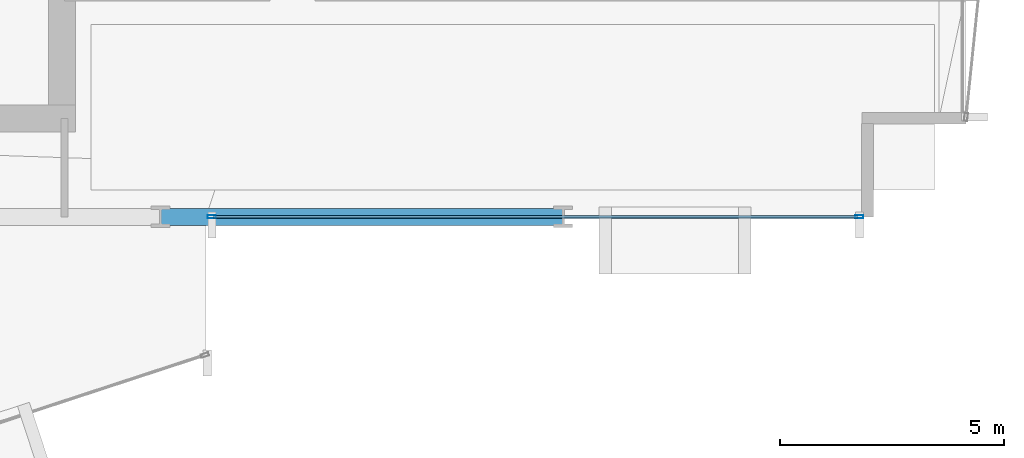
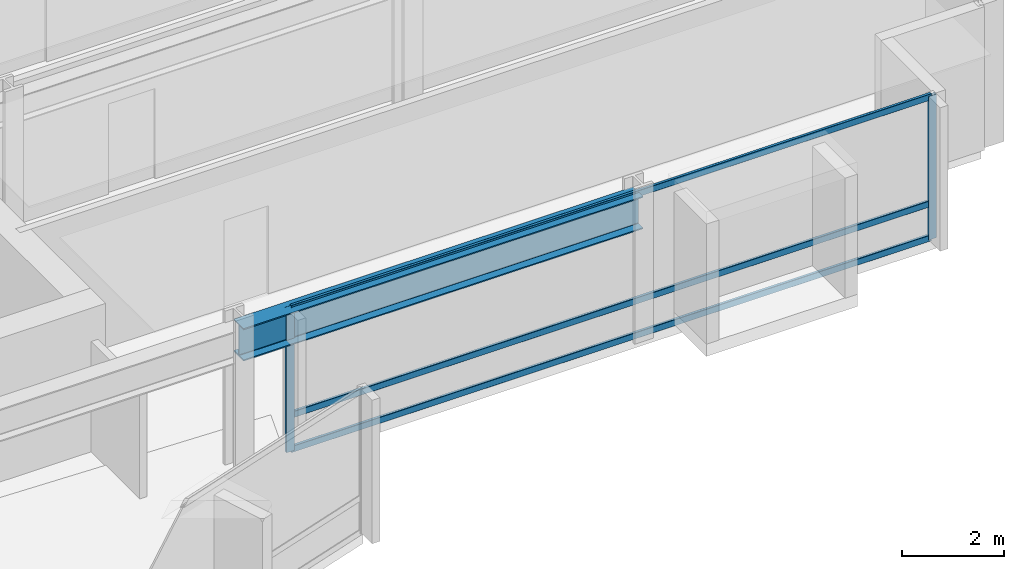
# One storey, part 12 of 34: 5 members, 1 beam, 1 element without a shape of its own.
"""IFC4 building model written with IfcOpenShell, lengths in metres."""

import ifcopenshell
import ifcopenshell.guid

model = None  # the IFC model being written
_history = None  # IfcOwnerHistory: only IFC2X3 demands one
_inside = {}  # id of a spatial element -> (the spatial element, [elements in it])
_under = {}  # id of a project, library or spatial element -> (it, [spatial elements below it])
_declared = {}  # id of a project -> (the project, [libraries it declares])
_typed = {}  # id of a type object -> (the type object, [elements of that type])
_made_of = {}  # id of a material, layer set ... -> (it, [elements and type objects made of it])


def new_model(schema):
    """Start an empty IFC model of exactly this schema.

    Asked for "IFC4X3", IfcOpenShell would pick the latest addendum, in which some entities
    have other attributes; the version numbers below select the first issue.
    IFC2X3 requires an IfcOwnerHistory on every rooted entity: one is made here for all.
    """
    global model, _history
    if schema == "IFC4X3":
        model = ifcopenshell.file(schema_version=(4, 3, 0, 0))
    else:
        model = ifcopenshell.file(schema=schema)
    _inside.clear()
    _under.clear()
    _declared.clear()
    _typed.clear()
    _made_of.clear()
    _history = None
    if model.schema == "IFC2X3":
        org = make("IfcOrganization", Name="unknown")
        user = make(
            "IfcPersonAndOrganization",
            ThePerson=make("IfcPerson", FamilyName="unknown"),
            TheOrganization=org,
        )
        app = make(
            "IfcApplication",
            ApplicationDeveloper=org,
            Version="unknown",
            ApplicationFullName="unknown",
            ApplicationIdentifier="unknown",
        )
        _history = make(
            "IfcOwnerHistory",
            OwningUser=user,
            OwningApplication=app,
            ChangeAction="ADDED",
            CreationDate=0,
        )
    return model


def make(cls, **values):
    """One entity of the class cls with the attributes given. An attribute that is None is left unset."""
    return model.create_entity(
        cls, **{name: value for name, value in values.items() if value is not None}
    )


def rooted(cls, **values):
    """An entity with a GlobalId (a new one), such as an element, a storey or a relation."""
    return make(cls, GlobalId=ifcopenshell.guid.new(), OwnerHistory=_history, **values)


def si_unit(unit_type, name, prefix=None):
    """IfcSIUnit, for example si_unit("LENGTHUNIT", "METRE", prefix="MILLI")."""
    return make("IfcSIUnit", UnitType=unit_type, Prefix=prefix, Name=name)


def assignment(units):
    """IfcUnitAssignment: the units of a project."""
    return None if units is None else make("IfcUnitAssignment", Units=units)


def point(xyz):
    """IfcCartesianPoint."""
    return None if xyz is None else make("IfcCartesianPoint", Coordinates=xyz)


def direction(xyz):
    """IfcDirection."""
    return None if xyz is None else make("IfcDirection", DirectionRatios=xyz)


def frame(location, z_axis=None, x_axis=None):
    """IfcAxis2Placement3D, a coordinate frame: its origin and axes. An axis left out is left unset."""
    return make(
        "IfcAxis2Placement3D",
        Location=point(location),
        Axis=direction(z_axis),
        RefDirection=direction(x_axis),
    )


def frame_2d(location, x_axis=None):
    """IfcAxis2Placement2D, a coordinate frame in the plane: its origin and x axis."""
    return make(
        "IfcAxis2Placement2D", Location=point(location), RefDirection=direction(x_axis)
    )


def origin():
    """The frame at (0, 0, 0) with its axes left unset."""
    return frame((0.0, 0.0, 0.0))


def origin_2d():
    """The frame at (0, 0) in the plane with its x axis left unset."""
    return frame_2d((0.0, 0.0))


def place(relative_to, where):
    """IfcLocalPlacement: puts the frame where relative to a parent placement (None: the world)."""
    return make(
        "IfcLocalPlacement", PlacementRelTo=relative_to, RelativePlacement=where
    )


def context(
    kind, dimensions, precision=None, world=None, true_north=None, identifier=None
):
    """IfcGeometricRepresentationContext, for example the 3D "Model" context."""
    return make(
        "IfcGeometricRepresentationContext",
        ContextIdentifier=identifier,
        ContextType=kind,
        CoordinateSpaceDimension=dimensions,
        Precision=precision,
        WorldCoordinateSystem=world,
        TrueNorth=true_north,
    )


def subcontext(parent, identifier, kind, view, scale=None):
    """IfcGeometricRepresentationSubContext, for example "Body" below "Model"."""
    return make(
        "IfcGeometricRepresentationSubContext",
        ContextIdentifier=identifier,
        ContextType=kind,
        ParentContext=parent,
        TargetScale=scale,
        TargetView=view,
    )


def project(units=None, contexts=None):
    """IfcProject with its units and contexts."""
    return rooted(
        "IfcProject",
        Name="project",
        RepresentationContexts=contexts,
        UnitsInContext=assignment(units),
    )


def spatial(cls, under=None, at=None, **own):
    """A site, building, storey or space (cls), placed at a placement, below another one or the project."""
    s = rooted(cls, ObjectPlacement=at, **own)
    if under is not None:
        _under.setdefault(under.id(), (under, []))[1].append(s)
    return s


def profile(cls, at=None, kind="AREA", **sizes):
    """A parametric profile (cls). Its sizes go by their IFC names, for example OverallWidth=200.0."""
    return make(cls, ProfileType=kind, Position=at, **sizes)


def hollow_rectangle(**sizes):
    """IfcRectangleHollowProfileDef."""
    return profile("IfcRectangleHollowProfileDef", **sizes)


def i_section(**sizes):
    """IfcIShapeProfileDef."""
    return profile("IfcIShapeProfileDef", **sizes)


def extrude(swept, where, along, depth):
    """IfcExtrudedAreaSolid: the profile swept, set in the frame where, extruded along a direction by depth."""
    return make(
        "IfcExtrudedAreaSolid",
        SweptArea=swept,
        Position=where,
        ExtrudedDirection=direction(along),
        Depth=depth,
    )


def shape(context_of_items, identifier, shape_type, items):
    """IfcShapeRepresentation: the items that make up one representation, for example the "Body"."""
    return make(
        "IfcShapeRepresentation",
        ContextOfItems=context_of_items,
        RepresentationIdentifier=identifier,
        RepresentationType=shape_type,
        Items=items,
    )


def material(Name=None, Category=None):
    """IfcMaterial."""
    return make("IfcMaterial", Name=Name, Category=Category)


def layer(
    of_material, thickness, ventilated=None, Name=None, Category=None, Priority=None
):
    """IfcMaterialLayer: one layer of a wall or slab, of a material (None: an air gap)."""
    return make(
        "IfcMaterialLayer",
        Material=of_material,
        LayerThickness=thickness,
        IsVentilated=ventilated,
        Name=Name,
        Category=Category,
        Priority=Priority,
    )


def layer_set(layers, Name=None):
    """IfcMaterialLayerSet."""
    return make("IfcMaterialLayerSet", MaterialLayers=layers, LayerSetName=Name)


def material_profile(
    of_material, cross_section, Name=None, Category=None, Priority=None
):
    """IfcMaterialProfile: a cross section and its material."""
    return make(
        "IfcMaterialProfile",
        Name=Name,
        Material=of_material,
        Profile=cross_section,
        Priority=Priority,
        Category=Category,
    )


def profile_set(profiles, Name=None, composite=None):
    """IfcMaterialProfileSet."""
    return make(
        "IfcMaterialProfileSet",
        Name=Name,
        MaterialProfiles=profiles,
        CompositeProfile=composite,
    )


def made_of(thing, what):
    """Note that an element or type object is made of a material, layer set ...; save() writes the relation."""
    if what is not None:
        _made_of.setdefault(what.id(), (what, []))[1].append(thing)
    return thing


def type_object(cls, material=None, **own):
    """A type object (cls), such as IfcWallType, which elements share."""
    return made_of(rooted(cls, **own), material)


def element(
    cls,
    number,
    at=None,
    inside=None,
    cuts=None,
    type_object=None,
    material=None,
    context=None,
    identifier="Body",
    shape_type=None,
    held_by="IfcProductDefinitionShape",
    body=None,
    shapes=None,
    **own,
):
    """One element of the class cls, such as IfcWall. Its Tag is "e" and its number.

    at: its placement. inside: the storey or other place that contains it. cuts: it is an
    opening in that element (IfcRelVoidsElement). A single representation is given by context,
    identifier, shape_type and body (its items); several are given by shapes. held_by: the class
    of the entity that holds the representations. save() writes the other relations.
    """
    e = rooted(cls, Tag="e%d" % number, ObjectPlacement=at, **own)
    if body is not None:
        shapes = [shape(context, identifier, shape_type, body)]
    if shapes is not None:
        e.Representation = make(held_by, Representations=shapes)
    if inside is not None:
        _inside.setdefault(inside.id(), (inside, []))[1].append(e)
    if cuts is not None:
        rooted(
            "IfcRelVoidsElement", RelatingBuildingElement=cuts, RelatedOpeningElement=e
        )
    if type_object is not None:
        _typed.setdefault(type_object.id(), (type_object, []))[1].append(e)
    return made_of(e, material)


def aggregate(whole, parts):
    """IfcRelAggregates: a whole, such as a stair, and the parts it consists of."""
    return rooted("IfcRelAggregates", RelatingObject=whole, RelatedObjects=parts)


def save(model, path):
    """Write the relations noted so far, then the file.

    IfcRelAggregates (storeys below a building ...), IfcRelContainedInSpatialStructure (elements
    in a storey), IfcRelDefinesByType, IfcRelAssociatesMaterial and IfcRelDeclares: one each for
    every whole, place, type object, material and project.
    """
    for whole, parts in _under.values():
        aggregate(whole, parts)
    for where, things in _inside.values():
        rooted(
            "IfcRelContainedInSpatialStructure",
            RelatedElements=things,
            RelatingStructure=where,
        )
    for kind, things in _typed.values():
        rooted("IfcRelDefinesByType", RelatedObjects=things, RelatingType=kind)
    for what, things in _made_of.values():
        rooted("IfcRelAssociatesMaterial", RelatedObjects=things, RelatingMaterial=what)
    for by, libraries in _declared.values():
        rooted("IfcRelDeclares", RelatingContext=by, RelatedDefinitions=libraries)
    model.write(path)


model = new_model("IFC4")

# Units and contexts
model_context = context("Model", 3, precision=1e-05, world=origin(), true_north=direction((0.0, 1.0)))
body_context = subcontext(model_context, "Body", "Model", "MODEL_VIEW")
ifc_project = project(units=[si_unit("LENGTHUNIT", "METRE"), si_unit("AREAUNIT", "SQUARE_METRE"), si_unit("VOLUMEUNIT", "CUBIC_METRE"), si_unit("PLANEANGLEUNIT", "RADIAN"), si_unit("MASSUNIT", "GRAM", prefix="KILO")], contexts=[model_context])

# Site, building, storey
site_placement = place(None, origin())
site = spatial("IfcSite", under=ifc_project, at=site_placement, CompositionType="ELEMENT")
building_placement = place(site_placement, origin())
building = spatial("IfcBuilding", under=site, at=building_placement, Name="Solvaryn Broadcast Tower", CompositionType="ELEMENT")
storey_placement = place(building_placement, frame((0.0, 0.0, 92.800048828125)))
storey = spatial("IfcBuildingStorey", under=building, at=storey_placement, Name="L22", CompositionType="ELEMENT", Elevation=92.800048828125)

# Beam
ifc_material_1 = material(Name="Steel ASTM A992 Grade 50", Category="steel")
ifc_material_profile_1 = material_profile(ifc_material_1, i_section(OverallWidth=0.381103515625, OverallDepth=0.77294921875, WebThickness=0.0166015625, FlangeThickness=0.027099609375, FilletRadius=0.01806640625, at=origin_2d()))
ifc_profile_set_1 = profile_set([ifc_material_profile_1], Name="Steel ASTM A992 Grade 50")
beam_type = type_object("IfcBeamType", Name="BM-SP1-W30X173", PredefinedType="USERDEFINED", material=ifc_profile_set_1)
beam_placement = place(storey_placement, frame((45.0, 9.0, 3.033447265625), z_axis=(1.0, 0.0, 0.0), x_axis=(0.0, 1.0, 0.0)))
element("IfcBeam", 1, at=beam_placement, inside=storey, type_object=beam_type, Name="L22 Spandrel Beam X (45-54 @ Y=9)", ObjectType="SPANDREL", PredefinedType="USERDEFINED", context=body_context, shape_type="SweptSolid", body=[
    extrude(i_section(OverallWidth=0.381103515625, OverallDepth=0.77294921875, WebThickness=0.0166015625, FlangeThickness=0.027099609375, FilletRadius=0.01806640625, at=origin_2d()), origin(), (0.0, 0.0, 1.0), 9.0),
])

# Curtain wall, members
ifc_material_2 = material(Name="Aluminium and Terracotta Unitised Curtain Wall", Category="masonry")
ifc_layer = layer(ifc_material_2, 0.199951171875)
ifc_layer_set = layer_set([ifc_layer], Name="CW-SYS2-LOWMID")
curtain_wall_type = type_object("IfcCurtainWallType", Name="CW-SYS2-LOWMID", PredefinedType="NOTDEFINED", material=ifc_layer_set)
curtain_wall_placement = place(storey_placement, origin())
curtain_wall = element("IfcCurtainWall", 2, at=curtain_wall_placement, inside=storey, type_object=curtain_wall_type, Name="L22 Curtain Wall S2", PredefinedType="NOTDEFINED")
ifc_material_3 = material(Name="Anodised Aluminium 6063-T6", Category="aluminium")
ifc_material_profile_2 = material_profile(ifc_material_3, hollow_rectangle(XDim=0.074951171875, YDim=0.179931640625, WallThickness=0.00390625, InnerFilletRadius=0.00390625, OuterFilletRadius=0.008056640625, at=origin_2d()))
ifc_profile_set_2 = profile_set([ifc_material_profile_2], Name="Anodised Aluminium 6063-T6")
member_type_1 = type_object("IfcMemberType", Name="CW-MUL-180", PredefinedType="MULLION", material=ifc_profile_set_2)
member_1_placement = place(storey_placement, frame((46.14599609375, 9.0, 0.0), z_axis=(0.0, 0.0, 1.0), x_axis=(0.0, 1.0, 0.0)))
member_1 = element("IfcMember", 3, at=member_1_placement, type_object=member_type_1, Name="CWS2 mullion 1", PredefinedType="MULLION", context=body_context, shape_type="SweptSolid", body=[
    extrude(hollow_rectangle(XDim=0.074951171875, YDim=0.179931640625, WallThickness=0.00390625, InnerFilletRadius=0.00390625, OuterFilletRadius=0.008056640625, at=origin_2d()), origin(), (0.0, 0.0, 1.0), 3.419921875),
])
member_2_placement = place(storey_placement, frame((60.6201171875, 9.0, 0.0), z_axis=(0.0, 0.0, 1.0), x_axis=(0.0, 1.0, 0.0)))
member_2 = element("IfcMember", 4, at=member_2_placement, type_object=member_type_1, Name="CWS2 mullion 2", PredefinedType="MULLION", context=body_context, shape_type="SweptSolid", body=[
    extrude(hollow_rectangle(XDim=0.074951171875, YDim=0.179931640625, WallThickness=0.00390625, InnerFilletRadius=0.00390625, OuterFilletRadius=0.008056640625, at=origin_2d()), origin(), (0.0, 0.0, 1.0), 3.419921875),
])
ifc_material_4 = material(Name="Anodised Aluminium 6063-T6", Category="aluminium")
ifc_material_profile_3 = material_profile(ifc_material_4, hollow_rectangle(XDim=0.06494140625, YDim=0.14990234375, WallThickness=0.00390625, InnerFilletRadius=0.00390625, OuterFilletRadius=0.008056640625, at=origin_2d()))
ifc_profile_set_3 = profile_set([ifc_material_profile_3], Name="Anodised Aluminium 6063-T6")
member_type_2 = type_object("IfcMemberType", Name="CW-TRN-150", PredefinedType="USERDEFINED", material=ifc_profile_set_3)
member_3_placement = place(storey_placement, frame((46.176025390625, 9.0, 0.030029296875), z_axis=(1.0, 0.0, 0.0), x_axis=(0.0, 1.0, 0.0)))
member_3 = element("IfcMember", 5, at=member_3_placement, type_object=member_type_2, Name="CWS2 transom 1.1", ObjectType="TRANSOM", PredefinedType="USERDEFINED", context=body_context, shape_type="SweptSolid", body=[
    extrude(hollow_rectangle(XDim=0.06494140625, YDim=0.14990234375, WallThickness=0.00390625, InnerFilletRadius=0.00390625, OuterFilletRadius=0.008056640625, at=origin_2d()), origin(), (0.0, 0.0, 1.0), 14.4140625),
])
member_4_placement = place(storey_placement, frame((46.176025390625, 9.0, 0.849853515625), z_axis=(1.0, 0.0, 0.0), x_axis=(0.0, 1.0, 0.0)))
member_4 = element("IfcMember", 6, at=member_4_placement, type_object=member_type_2, Name="CWS2 transom 1.2", ObjectType="TRANSOM", PredefinedType="USERDEFINED", context=body_context, shape_type="SweptSolid", body=[
    extrude(hollow_rectangle(XDim=0.06494140625, YDim=0.14990234375, WallThickness=0.00390625, InnerFilletRadius=0.00390625, OuterFilletRadius=0.008056640625, at=origin_2d()), origin(), (0.0, 0.0, 1.0), 14.4140625),
])
member_5_placement = place(storey_placement, frame((46.176025390625, 9.0, 3.389892578125), z_axis=(1.0, 0.0, 0.0), x_axis=(0.0, 1.0, 0.0)))
member_5 = element("IfcMember", 7, at=member_5_placement, type_object=member_type_2, Name="CWS2 transom 1.3", ObjectType="TRANSOM", PredefinedType="USERDEFINED", context=body_context, shape_type="SweptSolid", body=[
    extrude(hollow_rectangle(XDim=0.06494140625, YDim=0.14990234375, WallThickness=0.00390625, InnerFilletRadius=0.00390625, OuterFilletRadius=0.008056640625, at=origin_2d()), origin(), (0.0, 0.0, 1.0), 14.4140625),
])
aggregate(curtain_wall, [member_1, member_2, member_3, member_4, member_5])

save(model, "model.ifc")
